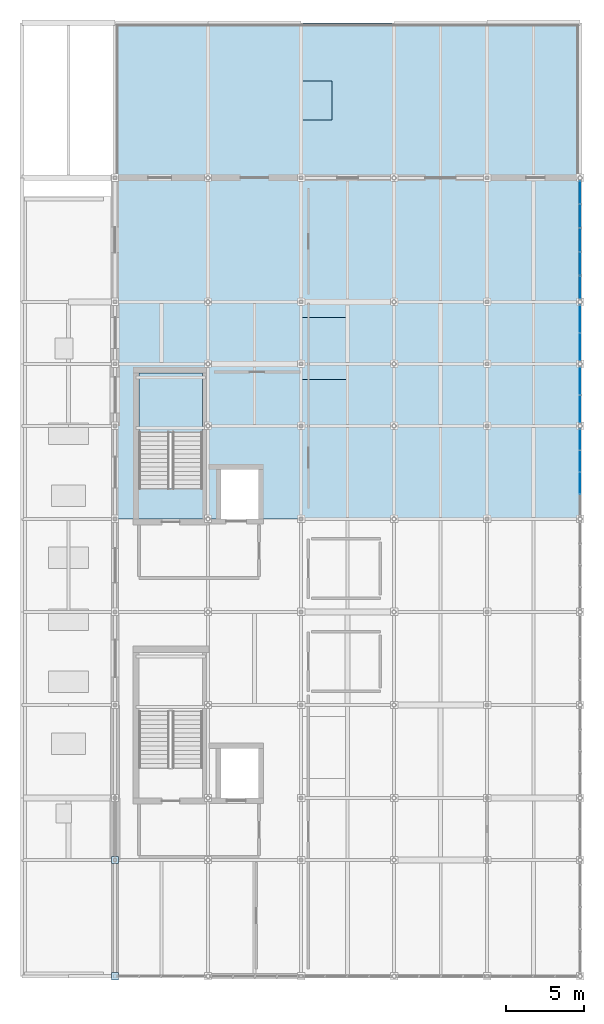
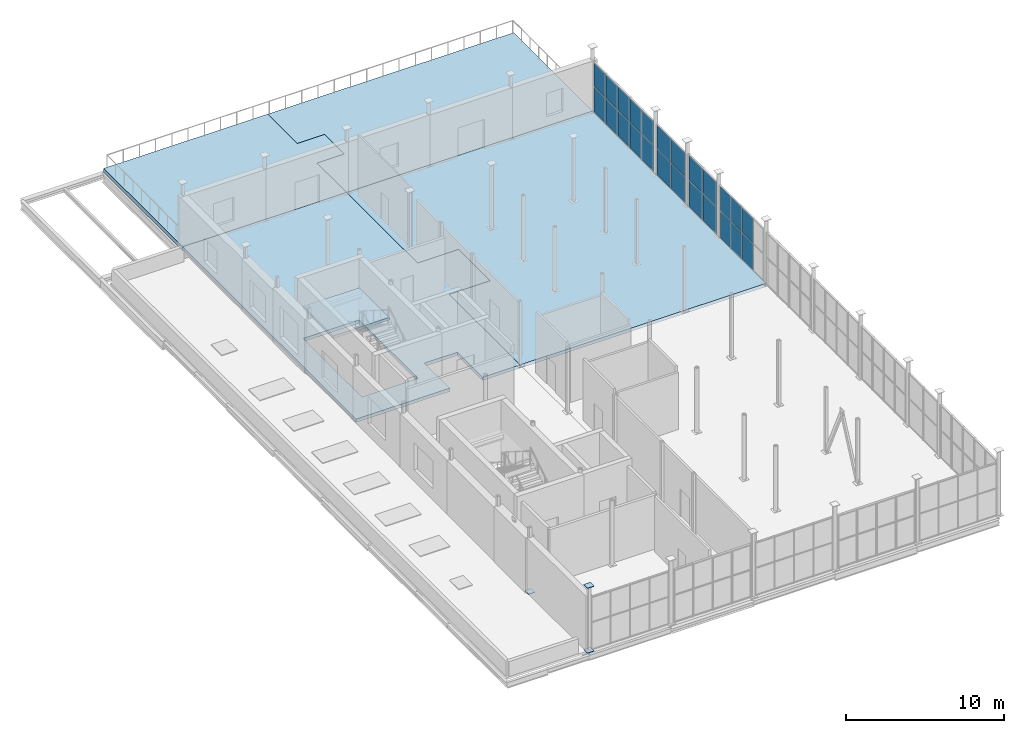
# One storey, part 21 of 27: 27 plates, 5 slabs, 5 elements without a shape of their own.
"""IFC4 building model written with IfcOpenShell, lengths in metres."""

from ifc_helpers import new_model, si_unit, direction, frame, origin, origin_2d, place, context, subcontext, project, spatial, polyline, rectangle, outline, extrude, material, layer, layer_set, type_object, element, aggregate, save


model = new_model("IFC4")

# Units and contexts
model_context = context("Model", 3, precision=1e-05, world=origin(), true_north=direction((0.0, 1.0)))
body_context = subcontext(model_context, "Body", "Model", "MODEL_VIEW")
ifc_project = project(units=[si_unit("LENGTHUNIT", "METRE"), si_unit("AREAUNIT", "SQUARE_METRE"), si_unit("VOLUMEUNIT", "CUBIC_METRE"), si_unit("PLANEANGLEUNIT", "RADIAN"), si_unit("MASSUNIT", "GRAM", prefix="KILO")], contexts=[model_context])

# Site, building, storey
site_placement = place(None, origin())
site = spatial("IfcSite", under=ifc_project, at=site_placement, CompositionType="ELEMENT")
building_placement = place(site_placement, origin())
building = spatial("IfcBuilding", under=site, at=building_placement, Name="Verrall Gate Interchange", CompositionType="ELEMENT")
storey_placement = place(building_placement, frame((0.0, 0.0, 23.60009765625)))
storey = spatial("IfcBuildingStorey", under=building, at=storey_placement, Name="L06", CompositionType="ELEMENT", Elevation=23.60009765625)

# Plates
ifc_material_1 = material(Name="Structural Steel CSA G40.21 350WT Cat 4", Category="steel")
ifc_layer_1 = layer(ifc_material_1, 0.0400390625)
ifc_layer_set_1 = layer_set([ifc_layer_1], Name="Structural Steel CSA G40.21 350WT Cat 4")
plate_type_1 = type_object("IfcPlateType", Name="BP-01 Base Plate 40", PredefinedType="USERDEFINED", material=ifc_layer_set_1)
for number, where, z_axis, x_axis, name in (
    (1, (6.0, 4.5, -0.02001953125), (0.0, 0.0, 1.0), (1.0, 0.0, 0.0), "L06 Hollow Column Transition Cap Plate 0143"),
    (2, (6.0, 4.5, 5.0), (0.0, 0.0, 1.0), (1.0, 0.0, 0.0), "L06 Hollow Column Top Cap Plate 0144"),
    (3, (6.0, 12.0, -0.02001953125), (0.0, 0.0, 1.0), (1.0, 0.0, 0.0), "L06 Hollow Column Transition Cap Plate 0151"),
):
    element("IfcPlate", number, at=place(storey_placement, frame(where, z_axis=z_axis, x_axis=x_axis)), inside=storey, type_object=plate_type_1, Name=name, ObjectType="BASE_PLATE", PredefinedType="USERDEFINED", context=body_context, shape_type="SweptSolid", body=[
        extrude(rectangle(XDim=0.47998046875, YDim=0.47998046875, at=origin_2d()), origin(), (0.0, 0.0, 1.0), 0.0400390625),
    ])

# Curtain wall, plates
ifc_material_2 = material(Name="Thermally Broken Anodized Aluminium Curtain Wall Framing", Category="aluminium")
curtain_wall_type_1 = type_object("IfcCurtainWallType", Name="CW-45 Unitized Curtain Wall 5698x4100", PredefinedType="NOTDEFINED", material=ifc_material_2)
curtain_wall_1_placement = place(storey_placement, origin())
curtain_wall_1 = element("IfcCurtainWall", 4, at=curtain_wall_1_placement, inside=storey, type_object=curtain_wall_type_1, Name="L06 Unitized Curtain Wall CW-L06-148", PredefinedType="NOTDEFINED")
ifc_material_3 = material(Name="Triple-Glazed Low-E Argon Insulated Curtain Panel (U=1.45)", Category="glass")
ifc_layer_2 = layer(ifc_material_3, 0.030029296875)
ifc_layer_set_2 = layer_set([ifc_layer_2], Name="Triple-Glazed Low-E Argon Insulated Curtain Panel (U=1.45)")
plate_type_2 = type_object("IfcPlateType", Name="CP-01 Curtain Glazing Panel 30", PredefinedType="CURTAIN_PANEL", material=ifc_layer_set_2)
plate_1_placement = place(storey_placement, frame((36.0, 36.2919921875, 0.05419921875), z_axis=(0.0, 0.0, 1.0), x_axis=(0.0, 1.0, 0.0)))
plate_1 = element("IfcPlate", 5, at=plate_1_placement, type_object=plate_type_2, Name="CW-L06-148 Glazing Panel 2.1", PredefinedType="CURTAIN_PANEL", context=body_context, shape_type="SweptSolid", body=[
    extrude(rectangle(XDim=1.37158203125, YDim=0.030029296875, at=origin_2d()), origin(), (0.0, 0.0, 1.0), 2.055419921875),
])
plate_2_placement = place(storey_placement, frame((36.0, 36.2919921875, 2.15380859375), z_axis=(0.0, 0.0, 1.0), x_axis=(0.0, 1.0, 0.0)))
plate_2 = element("IfcPlate", 6, at=plate_2_placement, type_object=plate_type_2, Name="CW-L06-148 Glazing Panel 2.2", PredefinedType="CURTAIN_PANEL", context=body_context, shape_type="SweptSolid", body=[
    extrude(rectangle(XDim=1.37158203125, YDim=0.030029296875, at=origin_2d()), origin(), (0.0, 0.0, 1.0), 1.891357421875),
])
plate_3_placement = place(storey_placement, frame((36.0, 37.7080078125, 0.05419921875), z_axis=(0.0, 0.0, 1.0), x_axis=(0.0, 1.0, 0.0)))
plate_3 = element("IfcPlate", 7, at=plate_3_placement, type_object=plate_type_2, Name="CW-L06-148 Glazing Panel 3.1", PredefinedType="CURTAIN_PANEL", context=body_context, shape_type="SweptSolid", body=[
    extrude(rectangle(XDim=1.37158203125, YDim=0.030029296875, at=origin_2d()), origin(), (0.0, 0.0, 1.0), 2.055419921875),
])
plate_4_placement = place(storey_placement, frame((36.0, 37.7080078125, 2.15380859375), z_axis=(0.0, 0.0, 1.0), x_axis=(0.0, 1.0, 0.0)))
plate_4 = element("IfcPlate", 8, at=plate_4_placement, type_object=plate_type_2, Name="CW-L06-148 Glazing Panel 3.2", PredefinedType="CURTAIN_PANEL", context=body_context, shape_type="SweptSolid", body=[
    extrude(rectangle(XDim=1.37158203125, YDim=0.030029296875, at=origin_2d()), origin(), (0.0, 0.0, 1.0), 1.891357421875),
])
plate_5_placement = place(storey_placement, frame((36.0, 39.107421875, 0.05419921875), z_axis=(0.0, 0.0, 1.0), x_axis=(0.0, 1.0, 0.0)))
plate_5 = element("IfcPlate", 9, at=plate_5_placement, type_object=plate_type_2, Name="CW-L06-148 Glazing Panel 4.1", PredefinedType="CURTAIN_PANEL", context=body_context, shape_type="SweptSolid", body=[
    extrude(rectangle(XDim=1.339111328125, YDim=0.030029296875, at=origin_2d()), origin(), (0.0, 0.0, 1.0), 2.055419921875),
])
plate_6_placement = place(storey_placement, frame((36.0, 39.107421875, 2.15380859375), z_axis=(0.0, 0.0, 1.0), x_axis=(0.0, 1.0, 0.0)))
plate_6 = element("IfcPlate", 10, at=plate_6_placement, type_object=plate_type_2, Name="CW-L06-148 Glazing Panel 4.2", PredefinedType="CURTAIN_PANEL", context=body_context, shape_type="SweptSolid", body=[
    extrude(rectangle(XDim=1.339111328125, YDim=0.030029296875, at=origin_2d()), origin(), (0.0, 0.0, 1.0), 1.891357421875),
])
aggregate(curtain_wall_1, [plate_1, plate_2, plate_3, plate_4, plate_5, plate_6])

ifc_material_4 = material(Name="Thermally Broken Anodized Aluminium Curtain Wall Framing", Category="aluminium")
curtain_wall_type_2 = type_object("IfcCurtainWallType", Name="CW-47 Unitized Curtain Wall 3663x4100", PredefinedType="NOTDEFINED", material=ifc_material_4)
curtain_wall_2_placement = place(storey_placement, origin())
curtain_wall_2 = element("IfcCurtainWall", 11, at=curtain_wall_2_placement, inside=storey, type_object=curtain_wall_type_2, Name="L06 Unitized Curtain Wall CW-L06-149", PredefinedType="NOTDEFINED")
plate_7_placement = place(storey_placement, frame((36.0, 41.10302734375, 0.06298828125), z_axis=(0.0, 0.0, 1.0), x_axis=(0.0, 1.0, 0.0)))
plate_7 = element("IfcPlate", 12, at=plate_7_placement, type_object=plate_type_2, Name="CW-L06-149 Glazing Panel 1.1", PredefinedType="CURTAIN_PANEL", context=body_context, shape_type="SweptSolid", body=[
    extrude(rectangle(XDim=1.742919921875, YDim=0.030029296875, at=origin_2d()), origin(), (0.0, 0.0, 1.0), 2.04345703125),
])
plate_8_placement = place(storey_placement, frame((36.0, 41.10302734375, 2.157470703125), z_axis=(0.0, 0.0, 1.0), x_axis=(0.0, 1.0, 0.0)))
plate_8 = element("IfcPlate", 13, at=plate_8_placement, type_object=plate_type_2, Name="CW-L06-149 Glazing Panel 1.2", PredefinedType="CURTAIN_PANEL", context=body_context, shape_type="SweptSolid", body=[
    extrude(rectangle(XDim=1.742919921875, YDim=0.030029296875, at=origin_2d()), origin(), (0.0, 0.0, 1.0), 1.87939453125),
])
plate_9_placement = place(storey_placement, frame((36.0, 42.89697265625, 0.06298828125), z_axis=(0.0, 0.0, 1.0), x_axis=(0.0, 1.0, 0.0)))
plate_9 = element("IfcPlate", 14, at=plate_9_placement, type_object=plate_type_2, Name="CW-L06-149 Glazing Panel 2.1", PredefinedType="CURTAIN_PANEL", context=body_context, shape_type="SweptSolid", body=[
    extrude(rectangle(XDim=1.742919921875, YDim=0.030029296875, at=origin_2d()), origin(), (0.0, 0.0, 1.0), 2.04345703125),
])
plate_10_placement = place(storey_placement, frame((36.0, 42.89697265625, 2.157470703125), z_axis=(0.0, 0.0, 1.0), x_axis=(0.0, 1.0, 0.0)))
plate_10 = element("IfcPlate", 15, at=plate_10_placement, type_object=plate_type_2, Name="CW-L06-149 Glazing Panel 2.2", PredefinedType="CURTAIN_PANEL", context=body_context, shape_type="SweptSolid", body=[
    extrude(rectangle(XDim=1.742919921875, YDim=0.030029296875, at=origin_2d()), origin(), (0.0, 0.0, 1.0), 1.87939453125),
])
aggregate(curtain_wall_2, [plate_7, plate_8, plate_9, plate_10])

ifc_material_5 = material(Name="Thermally Broken Anodized Aluminium Curtain Wall Framing", Category="aluminium")
curtain_wall_type_3 = type_object("IfcCurtainWallType", Name="CW-48 Unitized Curtain Wall 3663x3950", PredefinedType="NOTDEFINED", material=ifc_material_5)
curtain_wall_3_placement = place(storey_placement, origin())
curtain_wall_3 = element("IfcCurtainWall", 16, at=curtain_wall_3_placement, inside=storey, type_object=curtain_wall_type_3, Name="L06 Unitized Curtain Wall CW-L06-150", PredefinedType="NOTDEFINED")
ifc_material_6 = material(Name="Triple-Glazed Low-E Argon Insulated Curtain Panel (U=1.45)", Category="glass")
ifc_layer_3 = layer(ifc_material_6, 0.0400390625)
ifc_layer_set_3 = layer_set([ifc_layer_3], Name="Triple-Glazed Low-E Argon Insulated Curtain Panel (U=1.45)")
plate_type_3 = type_object("IfcPlateType", Name="CP-02 Curtain Glazing Panel 40", PredefinedType="CURTAIN_PANEL", material=ifc_layer_set_3)
plate_11_placement = place(storey_placement, frame((36.0, 45.1005859375, 0.0546875), z_axis=(0.0, 0.0, 1.0), x_axis=(0.0, 1.0, 0.0)))
plate_11 = element("IfcPlate", 17, at=plate_11_placement, type_object=plate_type_3, Name="CW-L06-150 Glazing Panel 1.1", PredefinedType="CURTAIN_PANEL", context=body_context, shape_type="SweptSolid", body=[
    extrude(rectangle(XDim=1.754638671875, YDim=0.0400390625, at=origin_2d()), origin(), (0.0, 0.0, 1.0), 1.977294921875),
])
plate_12_placement = place(storey_placement, frame((36.0, 45.1005859375, 2.075927734375), z_axis=(0.0, 0.0, 1.0), x_axis=(0.0, 1.0, 0.0)))
plate_12 = element("IfcPlate", 18, at=plate_12_placement, type_object=plate_type_3, Name="CW-L06-150 Glazing Panel 1.2", PredefinedType="CURTAIN_PANEL", context=body_context, shape_type="SweptSolid", body=[
    extrude(rectangle(XDim=1.754638671875, YDim=0.0400390625, at=origin_2d()), origin(), (0.0, 0.0, 1.0), 1.8193359375),
])
plate_13_placement = place(storey_placement, frame((36.0, 46.8994140625, 0.0546875), z_axis=(0.0, 0.0, 1.0), x_axis=(0.0, 1.0, 0.0)))
plate_13 = element("IfcPlate", 19, at=plate_13_placement, type_object=plate_type_3, Name="CW-L06-150 Glazing Panel 2.1", PredefinedType="CURTAIN_PANEL", context=body_context, shape_type="SweptSolid", body=[
    extrude(rectangle(XDim=1.754638671875, YDim=0.0400390625, at=origin_2d()), origin(), (0.0, 0.0, 1.0), 1.977294921875),
])
plate_14_placement = place(storey_placement, frame((36.0, 46.8994140625, 2.075927734375), z_axis=(0.0, 0.0, 1.0), x_axis=(0.0, 1.0, 0.0)))
plate_14 = element("IfcPlate", 20, at=plate_14_placement, type_object=plate_type_3, Name="CW-L06-150 Glazing Panel 2.2", PredefinedType="CURTAIN_PANEL", context=body_context, shape_type="SweptSolid", body=[
    extrude(rectangle(XDim=1.754638671875, YDim=0.0400390625, at=origin_2d()), origin(), (0.0, 0.0, 1.0), 1.8193359375),
])
aggregate(curtain_wall_3, [plate_11, plate_12, plate_13, plate_14])

ifc_material_7 = material(Name="Thermally Broken Anodized Aluminium Curtain Wall Framing", Category="aluminium")
curtain_wall_type_4 = type_object("IfcCurtainWallType", Name="CW-49 Unitized Curtain Wall 7663x3950", PredefinedType="NOTDEFINED", material=ifc_material_7)
curtain_wall_4_placement = place(storey_placement, origin())
curtain_wall_4 = element("IfcCurtainWall", 21, at=curtain_wall_4_placement, inside=storey, type_object=curtain_wall_type_4, Name="L06 Unitized Curtain Wall CW-L06-151", PredefinedType="NOTDEFINED")
plate_15_placement = place(storey_placement, frame((36.0, 48.95361328125, 0.06298828125), z_axis=(0.0, 0.0, 1.0), x_axis=(0.0, 1.0, 0.0)))
plate_15 = element("IfcPlate", 22, at=plate_15_placement, type_object=plate_type_3, Name="CW-L06-151 Glazing Panel 1.1", PredefinedType="CURTAIN_PANEL", context=body_context, shape_type="SweptSolid", body=[
    extrude(rectangle(XDim=1.444091796875, YDim=0.0400390625, at=origin_2d()), origin(), (0.0, 0.0, 1.0), 1.965576171875),
])
plate_16_placement = place(storey_placement, frame((36.0, 48.95361328125, 2.079345703125), z_axis=(0.0, 0.0, 1.0), x_axis=(0.0, 1.0, 0.0)))
plate_16 = element("IfcPlate", 23, at=plate_16_placement, type_object=plate_type_3, Name="CW-L06-151 Glazing Panel 1.2", PredefinedType="CURTAIN_PANEL", context=body_context, shape_type="SweptSolid", body=[
    extrude(rectangle(XDim=1.444091796875, YDim=0.0400390625, at=origin_2d()), origin(), (0.0, 0.0, 1.0), 1.8076171875),
])
plate_17_placement = place(storey_placement, frame((36.0, 50.46728515625, 0.06298828125), z_axis=(0.0, 0.0, 1.0), x_axis=(0.0, 1.0, 0.0)))
plate_17 = element("IfcPlate", 24, at=plate_17_placement, type_object=plate_type_3, Name="CW-L06-151 Glazing Panel 2.1", PredefinedType="CURTAIN_PANEL", context=body_context, shape_type="SweptSolid", body=[
    extrude(rectangle(XDim=1.4814453125, YDim=0.0400390625, at=origin_2d()), origin(), (0.0, 0.0, 1.0), 1.965576171875),
])
plate_18_placement = place(storey_placement, frame((36.0, 50.46728515625, 2.079345703125), z_axis=(0.0, 0.0, 1.0), x_axis=(0.0, 1.0, 0.0)))
plate_18 = element("IfcPlate", 25, at=plate_18_placement, type_object=plate_type_3, Name="CW-L06-151 Glazing Panel 2.2", PredefinedType="CURTAIN_PANEL", context=body_context, shape_type="SweptSolid", body=[
    extrude(rectangle(XDim=1.4814453125, YDim=0.0400390625, at=origin_2d()), origin(), (0.0, 0.0, 1.0), 1.8076171875),
])
plate_19_placement = place(storey_placement, frame((36.0, 52.0, 0.06298828125), z_axis=(0.0, 0.0, 1.0), x_axis=(0.0, 1.0, 0.0)))
plate_19 = element("IfcPlate", 26, at=plate_19_placement, type_object=plate_type_3, Name="CW-L06-151 Glazing Panel 3.1", PredefinedType="CURTAIN_PANEL", context=body_context, shape_type="SweptSolid", body=[
    extrude(rectangle(XDim=1.481689453125, YDim=0.0400390625, at=origin_2d()), origin(), (0.0, 0.0, 1.0), 1.965576171875),
])
plate_20_placement = place(storey_placement, frame((36.0, 52.0, 2.079345703125), z_axis=(0.0, 0.0, 1.0), x_axis=(0.0, 1.0, 0.0)))
plate_20 = element("IfcPlate", 27, at=plate_20_placement, type_object=plate_type_3, Name="CW-L06-151 Glazing Panel 3.2", PredefinedType="CURTAIN_PANEL", context=body_context, shape_type="SweptSolid", body=[
    extrude(rectangle(XDim=1.481689453125, YDim=0.0400390625, at=origin_2d()), origin(), (0.0, 0.0, 1.0), 1.8076171875),
])
plate_21_placement = place(storey_placement, frame((36.0, 53.53271484375, 0.06298828125), z_axis=(0.0, 0.0, 1.0), x_axis=(0.0, 1.0, 0.0)))
plate_21 = element("IfcPlate", 28, at=plate_21_placement, type_object=plate_type_3, Name="CW-L06-151 Glazing Panel 4.1", PredefinedType="CURTAIN_PANEL", context=body_context, shape_type="SweptSolid", body=[
    extrude(rectangle(XDim=1.4814453125, YDim=0.0400390625, at=origin_2d()), origin(), (0.0, 0.0, 1.0), 1.965576171875),
])
plate_22_placement = place(storey_placement, frame((36.0, 53.53271484375, 2.079345703125), z_axis=(0.0, 0.0, 1.0), x_axis=(0.0, 1.0, 0.0)))
plate_22 = element("IfcPlate", 29, at=plate_22_placement, type_object=plate_type_3, Name="CW-L06-151 Glazing Panel 4.2", PredefinedType="CURTAIN_PANEL", context=body_context, shape_type="SweptSolid", body=[
    extrude(rectangle(XDim=1.4814453125, YDim=0.0400390625, at=origin_2d()), origin(), (0.0, 0.0, 1.0), 1.8076171875),
])
plate_23_placement = place(storey_placement, frame((36.0, 55.04638671875, 0.06298828125), z_axis=(0.0, 0.0, 1.0), x_axis=(0.0, 1.0, 0.0)))
plate_23 = element("IfcPlate", 30, at=plate_23_placement, type_object=plate_type_3, Name="CW-L06-151 Glazing Panel 5.1", PredefinedType="CURTAIN_PANEL", context=body_context, shape_type="SweptSolid", body=[
    extrude(rectangle(XDim=1.444091796875, YDim=0.0400390625, at=origin_2d()), origin(), (0.0, 0.0, 1.0), 1.965576171875),
])
plate_24_placement = place(storey_placement, frame((36.0, 55.04638671875, 2.079345703125), z_axis=(0.0, 0.0, 1.0), x_axis=(0.0, 1.0, 0.0)))
plate_24 = element("IfcPlate", 31, at=plate_24_placement, type_object=plate_type_3, Name="CW-L06-151 Glazing Panel 5.2", PredefinedType="CURTAIN_PANEL", context=body_context, shape_type="SweptSolid", body=[
    extrude(rectangle(XDim=1.444091796875, YDim=0.0400390625, at=origin_2d()), origin(), (0.0, 0.0, 1.0), 1.8076171875),
])
aggregate(curtain_wall_4, [plate_15, plate_16, plate_17, plate_18, plate_19, plate_20, plate_21, plate_22, plate_23, plate_24])

# Slabs
ifc_material_8 = material(Name="Concrete CSA A23.1 40 MPa (Class C-1)", Category="concrete")
ifc_layer_4 = layer(ifc_material_8, 0.320068359375)
ifc_layer_set_4 = layer_set([ifc_layer_4], Name="Concrete CSA A23.1 40 MPa (Class C-1)")
slab_type_1 = type_object("IfcSlabType", Name="FS-06 Floor Slab 320", PredefinedType="FLOOR", material=ifc_layer_set_4)
slab_1_placement = place(storey_placement, frame((0.0, 0.0, -0.320068359375)))
element("IfcSlab", 32, at=slab_1_placement, inside=storey, type_object=slab_type_1, Name="L06 Structural Slab SLB-L06-RG1A", PredefinedType="FLOOR", context=body_context, shape_type="SweptSolid", body=[
    extrude(outline(polyline([(6.0, 66.0), (18.0, 66.0), (18.0, 62.25), (20.0, 62.25), (20.0, 59.75), (18.0, 59.75), (18.0, 56.0), (6.0, 56.0), (6.0, 66.0)])), origin(), (0.0, 0.0, 1.0), 0.320068359375),
])
slab_2_placement = place(storey_placement, frame((0.0, 0.0, -0.320068359375)))
element("IfcSlab", 33, at=slab_2_placement, inside=storey, type_object=slab_type_1, Name="L06 Structural Slab SLB-L06-RG1B", PredefinedType="FLOOR", context=body_context, shape_type="SweptSolid", body=[
    extrude(outline(polyline([(36.0, 56.0), (18.0, 56.0), (18.0, 59.75), (20.0, 59.75), (20.0, 62.25), (18.0, 62.25), (18.0, 66.0), (36.0, 66.0), (36.0, 56.0)])), origin(), (0.0, 0.0, 1.0), 0.320068359375),
])
ifc_material_9 = material(Name="Concrete CSA A23.1 40 MPa (Class N)", Category="concrete")
ifc_layer_5 = layer(ifc_material_9, 0.25)
ifc_layer_set_5 = layer_set([ifc_layer_5], Name="Concrete CSA A23.1 40 MPa (Class N)")
slab_type_2 = type_object("IfcSlabType", Name="FS-11 Floor Slab 250", PredefinedType="FLOOR", material=ifc_layer_set_5)
slab_3_placement = place(storey_placement, frame((0.0, 0.0, -0.25)))
element("IfcSlab", 34, at=slab_3_placement, inside=storey, type_object=slab_type_2, Name="L06 Structural Slab SLB-L06-03", PredefinedType="FLOOR", context=body_context, shape_type="SweptSolid", body=[
    extrude(outline(polyline([(15.25, 37.199951171875), (12.85009765625, 37.199951171875), (12.85009765625, 34.0), (6.0, 34.0), (6.0, 56.0), (18.0, 56.0), (18.0, 47.0), (21.0, 47.0), (21.0, 43.0), (18.0, 43.0), (18.0, 34.0), (15.25, 34.0), (15.25, 37.199951171875)]), holes=[polyline([(11.64990234375, 35.949951171875), (11.64990234375, 43.39990234375), (7.550048828125, 43.39990234375), (7.550048828125, 35.949951171875), (11.64990234375, 35.949951171875)])]), origin(), (0.0, 0.0, 1.0), 0.25),
])
slab_4_placement = place(storey_placement, frame((0.0, 0.0, -0.25)))
element("IfcSlab", 35, at=slab_4_placement, inside=storey, type_object=slab_type_2, Name="L06 Structural Slab SLB-L06-04", PredefinedType="FLOOR", context=body_context, shape_type="SweptSolid", body=[
    extrude(outline(polyline([(36.0, 34.0), (18.0, 34.0), (18.0, 43.0), (21.0, 43.0), (21.0, 47.0), (18.0, 47.0), (18.0, 56.0), (36.0, 56.0), (36.0, 34.0)])), origin(), (0.0, 0.0, 1.0), 0.25),
])

# Stair, slab
ifc_material_10 = material(Name="Concrete CSA A23.1 40 MPa (Class N)", Category="concrete")
stair_type = type_object("IfcStairType", Name="ST-T06 Straight-Flight Return Exit Stair W1950 H5000", PredefinedType="STRAIGHT_RUN_STAIR", material=ifc_material_10)
stair_placement = place(storey_placement, origin())
stair = element("IfcStair", 36, at=stair_placement, inside=storey, type_object=stair_type, Name="L06 ST-02", PredefinedType="STRAIGHT_RUN_STAIR")
ifc_material_11 = material(Name="Concrete CSA A23.1 40 MPa (Class N)", Category="concrete")
ifc_layer_6 = layer(ifc_material_11, 0.18994140625)
ifc_layer_set_6 = layer_set([ifc_layer_6], Name="Concrete CSA A23.1 40 MPa (Class N)")
slab_type_3 = type_object("IfcSlabType", Name="LS-01 Stair Landing Slab 190", PredefinedType="LANDING", material=ifc_layer_set_6)
slab_5_placement = place(storey_placement, frame((0.0, 0.0, 2.2998046875)))
slab_5 = element("IfcSlab", 37, at=slab_5_placement, type_object=slab_type_3, Name="ST-02 landing 1", PredefinedType="LANDING", context=body_context, shape_type="SweptSolid", body=[
    extrude(outline(polyline([(11.64990234375, 39.590087890625), (11.64990234375, 43.39990234375), (7.550048828125, 43.39990234375), (7.550048828125, 39.590087890625), (11.64990234375, 39.590087890625)])), origin(), (0.0, 0.0, 1.0), 0.2001953125),
])
aggregate(stair, [slab_5])

save(model, "model.ifc")
